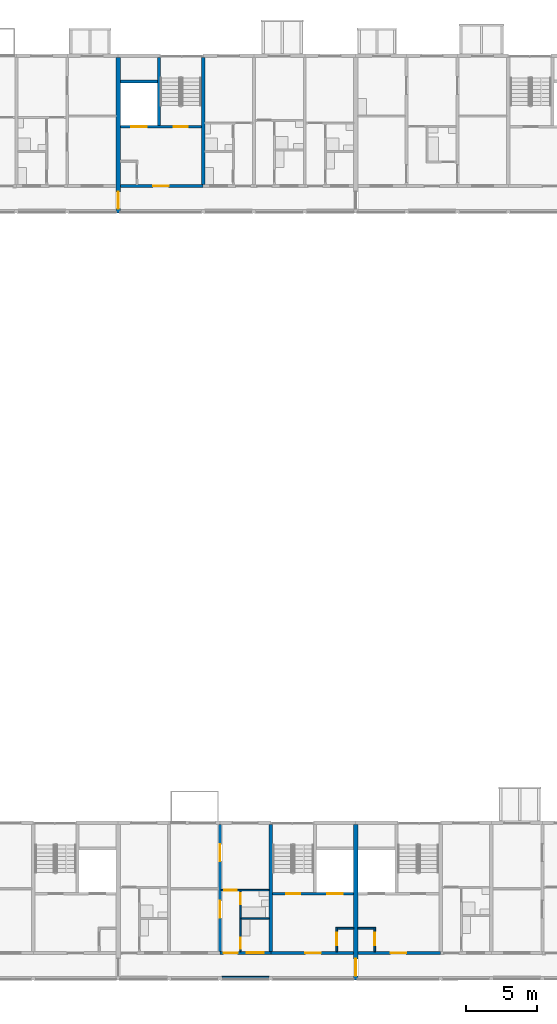
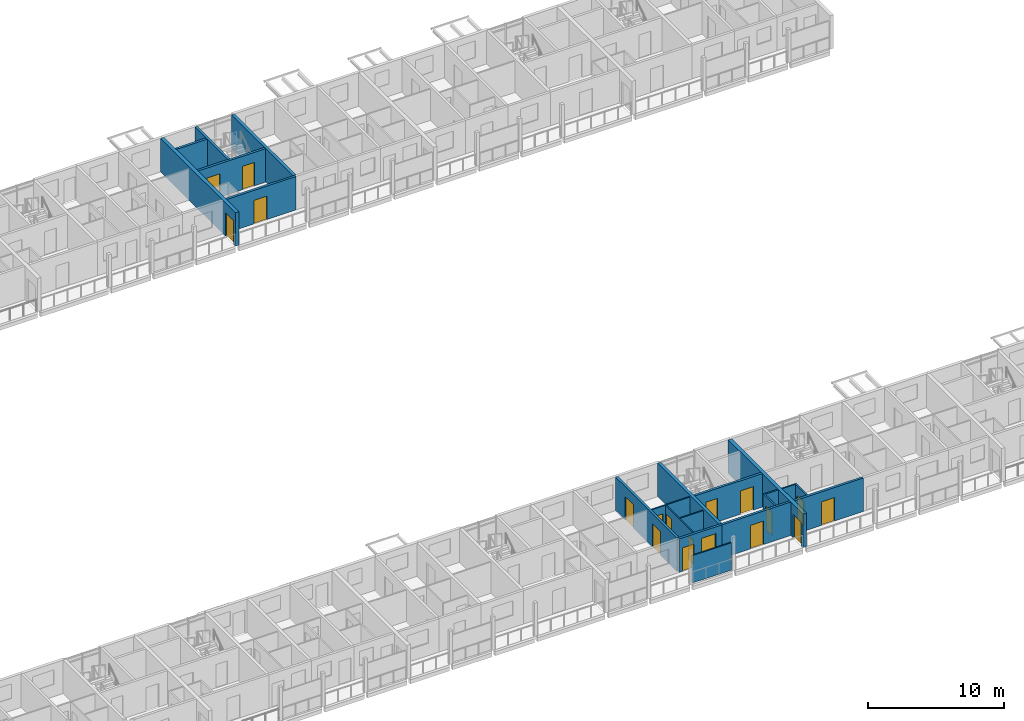
# One storey, part 51 of 99: 21 walls, 17 doors, 1 window, 18 openings.
"""IFC4 building model written with IfcOpenShell, lengths in metres."""

from ifc_helpers import new_model, si_unit, direction, frame, frame_2d, origin, place, context, subcontext, project, spatial, rectangle, extrude, material, layer, layer_set, type_object, element, fill, save


model = new_model("IFC4")

# Units and contexts
model_context = context("Model", 3, precision=1e-05, world=origin(), true_north=direction((0.0, 1.0)))
body_context = subcontext(model_context, "Body", "Model", "MODEL_VIEW")
ifc_project = project(units=[si_unit("LENGTHUNIT", "METRE"), si_unit("AREAUNIT", "SQUARE_METRE"), si_unit("VOLUMEUNIT", "CUBIC_METRE"), si_unit("PLANEANGLEUNIT", "RADIAN"), si_unit("MASSUNIT", "GRAM", prefix="KILO")], contexts=[model_context])

# Site, building, storey
site_placement = place(None, origin())
site = spatial("IfcSite", under=ifc_project, at=site_placement, CompositionType="ELEMENT")
building_placement = place(site_placement, origin())
building = spatial("IfcBuilding", under=site, at=building_placement, Name="Ridgestep Commons", CompositionType="ELEMENT")
storey_placement = place(building_placement, frame((0.0, 0.0, 15.0)))
storey = spatial("IfcBuildingStorey", under=building, at=storey_placement, Name="L05", CompositionType="ELEMENT", Elevation=15.0)

# Walls
ifc_material_1 = material(Name="Concrete C30/37", Category="concrete")
ifc_layer_1 = layer(ifc_material_1, 0.25)
ifc_layer_set_1 = layer_set([ifc_layer_1], Name="Core cross wall 250")
wall_type_1 = type_object("IfcWallType", Name="Core cross wall 250", PredefinedType="SHEAR", material=ifc_layer_set_1)
for number, where, z_axis, x_axis, name in (
    (1, (203.199951171875, 68.0, 0.0), (0.0, 0.0, 1.0), (0.0, 1.0, 0.0), "Cross wall C-05-2032"),
    (2, (208.0, 13.75, 0.0), (0.0, 0.0, 1.0), (0.0, 1.0, 0.0), "Cross wall D-05-2080"),
):
    element("IfcWall", number, at=place(storey_placement, frame(where, z_axis=z_axis, x_axis=x_axis)), inside=storey, type_object=wall_type_1, Name=name, PredefinedType="SHEAR", context=body_context, shape_type="SweptSolid", body=[
        extrude(rectangle(XDim=9.0, YDim=0.25, at=frame_2d((4.5, 0.0))), origin(), (0.0, 0.0, 1.0), 3.0),
    ])

# Wall, opening, door
ifc_material_2 = material(Name="Concrete C30/37", Category="concrete")
ifc_layer_2 = layer(ifc_material_2, 0.199951171875)
ifc_layer_set_2 = layer_set([ifc_layer_2], Name="Core south wall 200")
wall_type_2 = type_object("IfcWallType", Name="Core south wall 200", PredefinedType="SHEAR", material=ifc_layer_set_2)
wall_1_placement = place(storey_placement, frame((197.35009765625, 67.89990234375, 0.0), z_axis=(0.0, 0.0, 1.0), x_axis=(1.0, 0.0, 0.0)))
wall_1 = element("IfcWall", 3, at=wall_1_placement, inside=storey, type_object=wall_type_2, Name="Core south wall C4C L05", PredefinedType="SHEAR", context=body_context, shape_type="SweptSolid", body=[
    extrude(rectangle(XDim=5.849853515625, YDim=0.199951171875, at=frame_2d((2.9248046875, 0.0))), origin(), (0.0, 0.0, 1.0), 3.0),
])
opening_1_placement = place(wall_1_placement, frame((2.3125, 0.0, 0.0)))
opening_1 = element("IfcOpeningElement", 4, at=opening_1_placement, cuts=wall_1, Name="Opening C4C/05/1", PredefinedType="OPENING", context=body_context, shape_type="SweptSolid", body=[
    extrude(rectangle(XDim=1.10009765625, YDim=2.10009765625, at=frame_2d((0.550048828125, 1.050048828125))), frame((0.0, 0.10986328125, 0.0), z_axis=(0.0, -1.0, 0.0), x_axis=(1.0, 0.0, 0.0)), (0.0, 0.0, 1.0), 0.219970703125),
])
ifc_material_3 = material(Name="Steel fire door", Category="steel")
door_type_1 = type_object("IfcDoorType", Name="Lobby door 1100 x 2100 FD60", OperationType="NOTDEFINED", PredefinedType="DOOR", material=ifc_material_3)
door_1_placement = place(opening_1_placement, origin())
door_1 = element("IfcDoor", 5, at=door_1_placement, inside=storey, type_object=door_type_1, Name="Lobby door C4C/05/1", OperationType="SINGLE_SWING_LEFT", OverallHeight=2.10009765625, OverallWidth=1.10009765625, PredefinedType="DOOR", context=body_context, shape_type="SweptSolid", body=[
    extrude(rectangle(XDim=1.10009765625, YDim=2.10009765625, at=frame_2d((0.550048828125, 1.050048828125))), frame((0.0, 0.02490234375, 0.0), z_axis=(0.0, -1.0, 0.0), x_axis=(1.0, 0.0, 0.0)), (0.0, 0.0, 1.0), 0.050048828125),
])
fill(opening_1, door_1)

wall_2_placement = place(storey_placement, frame((208.0, 13.64990234375, 0.0), z_axis=(0.0, 0.0, 1.0), x_axis=(1.0, 0.0, 0.0)))
wall_2 = element("IfcWall", 6, at=wall_2_placement, inside=storey, type_object=wall_type_2, Name="Core south wall D4C L05", PredefinedType="SHEAR", context=body_context, shape_type="SweptSolid", body=[
    extrude(rectangle(XDim=5.85009765625, YDim=0.199951171875, at=frame_2d((2.925048828125, 0.0))), origin(), (0.0, 0.0, 1.0), 3.0),
])
opening_2_placement = place(wall_2_placement, frame((2.4375, 0.0, 0.0)))
opening_2 = element("IfcOpeningElement", 7, at=opening_2_placement, cuts=wall_2, Name="Opening D4C/05/1", PredefinedType="OPENING", context=body_context, shape_type="SweptSolid", body=[
    extrude(rectangle(XDim=1.10009765625, YDim=2.10009765625, at=frame_2d((0.550048828125, 1.050048828125))), frame((0.0, 0.10986328125, 0.0), z_axis=(0.0, -1.0, 0.0), x_axis=(1.0, 0.0, 0.0)), (0.0, 0.0, 1.0), 0.219970703125),
])
door_2_placement = place(opening_2_placement, origin())
door_2 = element("IfcDoor", 8, at=door_2_placement, inside=storey, type_object=door_type_1, Name="Lobby door D4C/05/1", OperationType="SINGLE_SWING_LEFT", OverallHeight=2.10009765625, OverallWidth=1.10009765625, PredefinedType="DOOR", context=body_context, shape_type="SweptSolid", body=[
    extrude(rectangle(XDim=1.10009765625, YDim=2.10009765625, at=frame_2d((0.550048828125, 1.050048828125))), frame((0.0, 0.02490234375, 0.0), z_axis=(0.0, -1.0, 0.0), x_axis=(1.0, 0.0, 0.0)), (0.0, 0.0, 1.0), 0.050048828125),
])
fill(opening_2, door_2)

wall_3_placement = place(storey_placement, frame((214.14990234375, 13.64990234375, 0.0), z_axis=(0.0, 0.0, 1.0), x_axis=(1.0, 0.0, 0.0)))
wall_3 = element("IfcWall", 9, at=wall_3_placement, inside=storey, type_object=wall_type_2, Name="Core south wall D5C L05", PredefinedType="SHEAR", context=body_context, shape_type="SweptSolid", body=[
    extrude(rectangle(XDim=5.85009765625, YDim=0.199951171875, at=frame_2d((2.925048828125, 0.0))), origin(), (0.0, 0.0, 1.0), 3.0),
])
opening_3_placement = place(wall_3_placement, frame((2.3125, 0.0, 0.0)))
opening_3 = element("IfcOpeningElement", 10, at=opening_3_placement, cuts=wall_3, Name="Opening D5C/05/1", PredefinedType="OPENING", context=body_context, shape_type="SweptSolid", body=[
    extrude(rectangle(XDim=1.10009765625, YDim=2.10009765625, at=frame_2d((0.550048828125, 1.050048828125))), frame((0.0, 0.10986328125, 0.0), z_axis=(0.0, -1.0, 0.0), x_axis=(1.0, 0.0, 0.0)), (0.0, 0.0, 1.0), 0.219970703125),
])
door_3_placement = place(opening_3_placement, origin())
door_3 = element("IfcDoor", 11, at=door_3_placement, inside=storey, type_object=door_type_1, Name="Lobby door D5C/05/1", OperationType="SINGLE_SWING_LEFT", OverallHeight=2.10009765625, OverallWidth=1.10009765625, PredefinedType="DOOR", context=body_context, shape_type="SweptSolid", body=[
    extrude(rectangle(XDim=1.10009765625, YDim=2.10009765625, at=frame_2d((0.550048828125, 1.050048828125))), frame((0.0, 0.02490234375, 0.0), z_axis=(0.0, -1.0, 0.0), x_axis=(1.0, 0.0, 0.0)), (0.0, 0.0, 1.0), 0.050048828125),
])
fill(opening_3, door_3)

ifc_material_4 = material(Name="Concrete C30/37", Category="concrete")
ifc_layer_3 = layer(ifc_material_4, 0.1201171875)
ifc_layer_set_3 = layer_set([ifc_layer_3], Name="Core wall 120")
wall_type_3 = type_object("IfcWallType", Name="Core wall 120", PredefinedType="SHEAR", material=ifc_layer_set_3)
wall_4_placement = place(storey_placement, frame((212.659912109375, 13.75, 0.0), z_axis=(0.0, 0.0, 1.0), x_axis=(0.0, 1.0, 0.0)))
wall_4 = element("IfcWall", 12, at=wall_4_placement, inside=storey, type_object=wall_type_3, Name="Core riser w wall D4C L05", PredefinedType="SHEAR", context=body_context, shape_type="SweptSolid", body=[
    extrude(rectangle(XDim=1.719970703125, YDim=0.1201171875, at=frame_2d((0.85986328125, 0.0))), origin(), (0.0, 0.0, 1.0), 3.0),
])
opening_4_placement = place(wall_4_placement, frame((0.449951171875, 0.0, 0.0)))
opening_4 = element("IfcOpeningElement", 13, at=opening_4_placement, cuts=wall_4, Name="Opening D4C/05/4", PredefinedType="OPENING", context=body_context, shape_type="SweptSolid", body=[
    extrude(rectangle(XDim=0.89990234375, YDim=2.10009765625, at=frame_2d((0.449951171875, 1.050048828125))), frame((0.0, 0.070068359375, 0.0), z_axis=(0.0, -1.0, 0.0), x_axis=(1.0, 0.0, 0.0)), (0.0, 0.0, 1.0), 0.14013671875),
])
ifc_material_5 = material(Name="Steel fire door", Category="steel")
door_type_2 = type_object("IfcDoorType", Name="Riser door 900 x 2100 FD60", OperationType="NOTDEFINED", PredefinedType="DOOR", material=ifc_material_5)
door_4_placement = place(opening_4_placement, origin())
door_4 = element("IfcDoor", 14, at=door_4_placement, inside=storey, type_object=door_type_2, Name="Riser door D4C/05/4", OperationType="SINGLE_SWING_LEFT", OverallHeight=2.10009765625, OverallWidth=0.89990234375, PredefinedType="DOOR", context=body_context, shape_type="SweptSolid", body=[
    extrude(rectangle(XDim=0.89990234375, YDim=2.10009765625, at=frame_2d((0.449951171875, 1.050048828125))), frame((0.0, 0.02490234375, 0.0), z_axis=(0.0, -1.0, 0.0), x_axis=(1.0, 0.0, 0.0)), (0.0, 0.0, 1.0), 0.050048828125),
])
fill(opening_4, door_4)

# Wall
wall_5_placement = place(storey_placement, frame((212.719970703125, 15.409912109375, 0.0), z_axis=(0.0, 0.0, 1.0), x_axis=(1.0, 0.0, 0.0)))
element("IfcWall", 15, at=wall_5_placement, inside=storey, type_object=wall_type_3, Name="Core riser n wall D4C L05", PredefinedType="SHEAR", context=body_context, shape_type="SweptSolid", body=[
    extrude(rectangle(XDim=1.130126953125, YDim=0.1201171875, at=frame_2d((0.56494140625, 0.0))), origin(), (0.0, 0.0, 1.0), 3.0),
])

# Wall, opening, door
wall_6_placement = place(storey_placement, frame((215.340087890625, 13.75, 0.0), z_axis=(0.0, 0.0, 1.0), x_axis=(0.0, 1.0, 0.0)))
wall_6 = element("IfcWall", 16, at=wall_6_placement, inside=storey, type_object=wall_type_3, Name="Core riser w wall D5C L05", PredefinedType="SHEAR", context=body_context, shape_type="SweptSolid", body=[
    extrude(rectangle(XDim=1.719970703125, YDim=0.1201171875, at=frame_2d((0.85986328125, 0.0))), origin(), (0.0, 0.0, 1.0), 3.0),
])
opening_5_placement = place(wall_6_placement, frame((0.449951171875, 0.0, 0.0)))
opening_5 = element("IfcOpeningElement", 17, at=opening_5_placement, cuts=wall_6, Name="Opening D5C/05/4", PredefinedType="OPENING", context=body_context, shape_type="SweptSolid", body=[
    extrude(rectangle(XDim=0.89990234375, YDim=2.10009765625, at=frame_2d((0.449951171875, 1.050048828125))), frame((0.0, 0.070068359375, 0.0), z_axis=(0.0, -1.0, 0.0), x_axis=(1.0, 0.0, 0.0)), (0.0, 0.0, 1.0), 0.14013671875),
])
door_5_placement = place(opening_5_placement, origin())
door_5 = element("IfcDoor", 18, at=door_5_placement, inside=storey, type_object=door_type_2, Name="Riser door D5C/05/4", OperationType="SINGLE_SWING_RIGHT", OverallHeight=2.10009765625, OverallWidth=0.89990234375, PredefinedType="DOOR", context=body_context, shape_type="SweptSolid", body=[
    extrude(rectangle(XDim=0.89990234375, YDim=2.10009765625, at=frame_2d((0.449951171875, 1.050048828125))), frame((0.0, 0.02490234375, 0.0), z_axis=(0.0, -1.0, 0.0), x_axis=(1.0, 0.0, 0.0)), (0.0, 0.0, 1.0), 0.050048828125),
])
fill(opening_5, door_5)

# Wall
wall_7_placement = place(storey_placement, frame((214.14990234375, 15.409912109375, 0.0), z_axis=(0.0, 0.0, 1.0), x_axis=(1.0, 0.0, 0.0)))
element("IfcWall", 19, at=wall_7_placement, inside=storey, type_object=wall_type_3, Name="Core riser n wall D5C L05", PredefinedType="SHEAR", context=body_context, shape_type="SweptSolid", body=[
    extrude(rectangle(XDim=1.130126953125, YDim=0.1201171875, at=frame_2d((0.56494140625, 0.0))), origin(), (0.0, 0.0, 1.0), 3.0),
])

# Wall, openings, doors
ifc_material_6 = material(Name="Concrete C30/37", Category="concrete")
ifc_layer_4 = layer(ifc_material_6, 0.199951171875)
ifc_layer_set_4 = layer_set([ifc_layer_4], Name="Core wall 200")
wall_type_4 = type_object("IfcWallType", Name="Core wall 200", PredefinedType="SHEAR", material=ifc_layer_set_4)
wall_8_placement = place(storey_placement, frame((197.35009765625, 72.10009765625, 0.0), z_axis=(0.0, 0.0, 1.0), x_axis=(1.0, 0.0, 0.0)))
wall_8 = element("IfcWall", 20, at=wall_8_placement, inside=storey, type_object=wall_type_4, Name="Core lobby wall C4C L05", PredefinedType="SHEAR", context=body_context, shape_type="SweptSolid", body=[
    extrude(rectangle(XDim=5.724853515625, YDim=0.199951171875, at=frame_2d((2.8623046875, 0.0))), origin(), (0.0, 0.0, 1.0), 3.0),
])
opening_6_placement = place(wall_8_placement, frame((3.77490234375, 0.0, 0.0)))
opening_6 = element("IfcOpeningElement", 21, at=opening_6_placement, cuts=wall_8, Name="Opening C4C/05/2", PredefinedType="OPENING", context=body_context, shape_type="SweptSolid", body=[
    extrude(rectangle(XDim=1.0, YDim=2.10009765625, at=frame_2d((0.5, 1.050048828125))), frame((0.0, 0.10986328125, 0.0), z_axis=(0.0, -1.0, 0.0), x_axis=(1.0, 0.0, 0.0)), (0.0, 0.0, 1.0), 0.219970703125),
])
opening_7_placement = place(wall_8_placement, frame((0.762451171875, 0.0, 0.0)))
opening_7 = element("IfcOpeningElement", 22, at=opening_7_placement, cuts=wall_8, Name="Opening C4C/05/3", PredefinedType="OPENING", context=body_context, shape_type="SweptSolid", body=[
    extrude(rectangle(XDim=1.10009765625, YDim=2.10009765625, at=frame_2d((0.550048828125, 1.050048828125))), frame((0.0, 0.10986328125, 0.0), z_axis=(0.0, -1.0, 0.0), x_axis=(1.0, 0.0, 0.0)), (0.0, 0.0, 1.0), 0.219970703125),
])
ifc_material_7 = material(Name="Stainless steel", Category="steel")
door_type_3 = type_object("IfcDoorType", Name="Lift landing door 1100 x 2100 FD60", OperationType="DOUBLE_DOOR_SLIDING", PredefinedType="DOOR", material=ifc_material_7)
door_6_placement = place(opening_7_placement, origin())
door_6 = element("IfcDoor", 23, at=door_6_placement, inside=storey, type_object=door_type_3, Name="Landing door LD C4C L05", OperationType="DOUBLE_DOOR_SLIDING", OverallHeight=2.10009765625, OverallWidth=1.10009765625, PredefinedType="DOOR", context=body_context, shape_type="SweptSolid", body=[
    extrude(rectangle(XDim=1.10009765625, YDim=2.10009765625, at=frame_2d((0.550048828125, 1.050048828125))), frame((0.0, 0.02490234375, 0.0), z_axis=(0.0, -1.0, 0.0), x_axis=(1.0, 0.0, 0.0)), (0.0, 0.0, 1.0), 0.050048828125),
])
fill(opening_7, door_6)
ifc_material_8 = material(Name="Steel fire door", Category="steel")
door_type_4 = type_object("IfcDoorType", Name="Stair door 1000 x 2100 FD60", OperationType="NOTDEFINED", PredefinedType="DOOR", material=ifc_material_8)
door_7_placement = place(opening_6_placement, origin())
door_7 = element("IfcDoor", 24, at=door_7_placement, inside=storey, type_object=door_type_4, Name="Stair door C4C/05/2", OperationType="SINGLE_SWING_RIGHT", OverallHeight=2.10009765625, OverallWidth=1.0, PredefinedType="DOOR", context=body_context, shape_type="SweptSolid", body=[
    extrude(rectangle(XDim=1.0, YDim=2.10009765625, at=frame_2d((0.5, 1.050048828125))), frame((0.0, 0.02490234375, 0.0), z_axis=(0.0, -1.0, 0.0), x_axis=(1.0, 0.0, 0.0)), (0.0, 0.0, 1.0), 0.050048828125),
])
fill(opening_6, door_7)

# Walls
wall_9_placement = place(storey_placement, frame((200.074951171875, 72.199951171875, 0.0), z_axis=(0.0, 0.0, 1.0), x_axis=(0.0, 1.0, 0.0)))
element("IfcWall", 25, at=wall_9_placement, inside=storey, type_object=wall_type_4, Name="Core stair wall C4C L05", PredefinedType="SHEAR", context=body_context, shape_type="SweptSolid", body=[
    extrude(rectangle(XDim=4.800048828125, YDim=0.199951171875, at=frame_2d((2.39990234375, 0.0))), origin(), (0.0, 0.0, 1.0), 3.0),
])
wall_10_placement = place(storey_placement, frame((197.35009765625, 75.300048828125, 0.0), z_axis=(0.0, 0.0, 1.0), x_axis=(1.0, 0.0, 0.0)))
element("IfcWall", 26, at=wall_10_placement, inside=storey, type_object=wall_type_4, Name="Core duct wall C4C L05", PredefinedType="SHEAR", context=body_context, shape_type="SweptSolid", body=[
    extrude(rectangle(XDim=2.625, YDim=0.199951171875, at=frame_2d((1.3125, 0.0))), origin(), (0.0, 0.0, 1.0), 3.0),
])

# Wall, openings, doors
wall_11_placement = place(storey_placement, frame((208.125, 17.85009765625, 0.0), z_axis=(0.0, 0.0, 1.0), x_axis=(1.0, 0.0, 0.0)))
wall_11 = element("IfcWall", 27, at=wall_11_placement, inside=storey, type_object=wall_type_4, Name="Core lobby wall D4C L05", PredefinedType="SHEAR", context=body_context, shape_type="SweptSolid", body=[
    extrude(rectangle(XDim=5.72509765625, YDim=0.199951171875, at=frame_2d((2.862548828125, 0.0))), origin(), (0.0, 0.0, 1.0), 3.0),
])
opening_8_placement = place(wall_11_placement, frame((0.949951171875, 0.0, 0.0)))
opening_8 = element("IfcOpeningElement", 28, at=opening_8_placement, cuts=wall_11, Name="Opening D4C/05/2", PredefinedType="OPENING", context=body_context, shape_type="SweptSolid", body=[
    extrude(rectangle(XDim=1.0, YDim=2.10009765625, at=frame_2d((0.5, 1.050048828125))), frame((0.0, 0.10986328125, 0.0), z_axis=(0.0, -1.0, 0.0), x_axis=(1.0, 0.0, 0.0)), (0.0, 0.0, 1.0), 0.219970703125),
])
opening_9_placement = place(wall_11_placement, frame((3.862548828125, 0.0, 0.0)))
opening_9 = element("IfcOpeningElement", 29, at=opening_9_placement, cuts=wall_11, Name="Opening D4C/05/3", PredefinedType="OPENING", context=body_context, shape_type="SweptSolid", body=[
    extrude(rectangle(XDim=1.10009765625, YDim=2.10009765625, at=frame_2d((0.550048828125, 1.050048828125))), frame((0.0, 0.10986328125, 0.0), z_axis=(0.0, -1.0, 0.0), x_axis=(1.0, 0.0, 0.0)), (0.0, 0.0, 1.0), 0.219970703125),
])
door_8_placement = place(opening_9_placement, origin())
door_8 = element("IfcDoor", 30, at=door_8_placement, inside=storey, type_object=door_type_3, Name="Landing door LD D4C L05", OperationType="DOUBLE_DOOR_SLIDING", OverallHeight=2.10009765625, OverallWidth=1.10009765625, PredefinedType="DOOR", context=body_context, shape_type="SweptSolid", body=[
    extrude(rectangle(XDim=1.10009765625, YDim=2.10009765625, at=frame_2d((0.550048828125, 1.050048828125))), frame((0.0, 0.02490234375, 0.0), z_axis=(0.0, -1.0, 0.0), x_axis=(1.0, 0.0, 0.0)), (0.0, 0.0, 1.0), 0.050048828125),
])
fill(opening_9, door_8)
door_9_placement = place(opening_8_placement, origin())
door_9 = element("IfcDoor", 31, at=door_9_placement, inside=storey, type_object=door_type_4, Name="Stair door D4C/05/2", OperationType="SINGLE_SWING_RIGHT", OverallHeight=2.10009765625, OverallWidth=1.0, PredefinedType="DOOR", context=body_context, shape_type="SweptSolid", body=[
    extrude(rectangle(XDim=1.0, YDim=2.10009765625, at=frame_2d((0.5, 1.050048828125))), frame((0.0, 0.02490234375, 0.0), z_axis=(0.0, -1.0, 0.0), x_axis=(1.0, 0.0, 0.0)), (0.0, 0.0, 1.0), 0.050048828125),
])
fill(opening_8, door_9)

ifc_material_9 = material(Name="Precast concrete C40/50", Category="concrete")
ifc_layer_5 = layer(ifc_material_9, 0.199951171875)
ifc_layer_set_5 = layer_set([ifc_layer_5], Name="Cross wall 200")
wall_type_5 = type_object("IfcWallType", Name="Cross wall 200", PredefinedType="SHEAR", material=ifc_layer_set_5)
wall_12_placement = place(storey_placement, frame((204.39990234375, 13.75, 0.0), z_axis=(0.0, 0.0, 1.0), x_axis=(0.0, 1.0, 0.0)))
wall_12 = element("IfcWall", 32, at=wall_12_placement, inside=storey, type_object=wall_type_5, Name="Cross wall D-05-2044", PredefinedType="SHEAR", context=body_context, shape_type="SweptSolid", body=[
    extrude(rectangle(XDim=9.0, YDim=0.199951171875, at=frame_2d((4.5, 0.0))), origin(), (0.0, 0.0, 1.0), 3.0),
])
opening_10_placement = place(wall_12_placement, frame((2.39990234375, 0.0, 0.0)))
opening_10 = element("IfcOpeningElement", 33, at=opening_10_placement, cuts=wall_12, Name="Opening D4-05b/5", PredefinedType="OPENING", context=body_context, shape_type="SweptSolid", body=[
    extrude(rectangle(XDim=1.199951171875, YDim=2.10009765625, at=frame_2d((0.60009765625, 1.050048828125))), frame((0.0, 0.10986328125, 0.0), z_axis=(0.0, -1.0, 0.0), x_axis=(1.0, 0.0, 0.0)), (0.0, 0.0, 1.0), 0.219970703125),
])
opening_11_placement = place(wall_12_placement, frame((6.39990234375, 0.0, 0.0)))
opening_11 = element("IfcOpeningElement", 34, at=opening_11_placement, cuts=wall_12, Name="Opening D4-05b/6", PredefinedType="OPENING", context=body_context, shape_type="SweptSolid", body=[
    extrude(rectangle(XDim=1.199951171875, YDim=2.10009765625, at=frame_2d((0.60009765625, 1.050048828125))), frame((0.0, 0.10986328125, 0.0), z_axis=(0.0, -1.0, 0.0), x_axis=(1.0, 0.0, 0.0)), (0.0, 0.0, 1.0), 0.219970703125),
])
ifc_material_10 = material(Name="Timber door leaf", Category="wood")
door_type_5 = type_object("IfcDoorType", Name="Double door 1200 x 2100", OperationType="DOUBLE_DOOR_SINGLE_SWING", PredefinedType="DOOR", material=ifc_material_10)
door_10_placement = place(opening_10_placement, origin())
door_10 = element("IfcDoor", 35, at=door_10_placement, inside=storey, type_object=door_type_5, Name="Double door D4-05b/5", OperationType="DOUBLE_DOOR_SINGLE_SWING", OverallHeight=2.10009765625, OverallWidth=1.199951171875, PredefinedType="DOOR", context=body_context, shape_type="SweptSolid", body=[
    extrude(rectangle(XDim=1.199951171875, YDim=2.10009765625, at=frame_2d((0.60009765625, 1.050048828125))), frame((0.0, 0.02490234375, 0.0), z_axis=(0.0, -1.0, 0.0), x_axis=(1.0, 0.0, 0.0)), (0.0, 0.0, 1.0), 0.050048828125),
])
fill(opening_10, door_10)
door_11_placement = place(opening_11_placement, origin())
door_11 = element("IfcDoor", 36, at=door_11_placement, inside=storey, type_object=door_type_5, Name="Double door D4-05b/6", OperationType="DOUBLE_DOOR_SINGLE_SWING", OverallHeight=2.10009765625, OverallWidth=1.199951171875, PredefinedType="DOOR", context=body_context, shape_type="SweptSolid", body=[
    extrude(rectangle(XDim=1.199951171875, YDim=2.10009765625, at=frame_2d((0.60009765625, 1.050048828125))), frame((0.0, 0.02490234375, 0.0), z_axis=(0.0, -1.0, 0.0), x_axis=(1.0, 0.0, 0.0)), (0.0, 0.0, 1.0), 0.050048828125),
])
fill(opening_11, door_11)

# Wall, opening, door
ifc_material_11 = material(Name="Precast concrete C40/50", Category="concrete")
ifc_layer_6 = layer(ifc_material_11, 0.300048828125)
ifc_layer_set_6 = layer_set([ifc_layer_6], Name="Division wall 300")
wall_type_6 = type_object("IfcWallType", Name="Division wall 300", PredefinedType="SHEAR", material=ifc_layer_set_6)
wall_13_placement = place(storey_placement, frame((197.199951171875, 66.0, 0.0), z_axis=(0.0, 0.0, 1.0), x_axis=(0.0, 1.0, 0.0)))
wall_13 = element("IfcWall", 37, at=wall_13_placement, inside=storey, type_object=wall_type_6, Name="Cross wall C-05-1972", PredefinedType="SHEAR", context=body_context, shape_type="SweptSolid", body=[
    extrude(rectangle(XDim=11.0, YDim=0.300048828125, at=frame_2d((5.5, 0.0))), origin(), (0.0, 0.0, 1.0), 3.0),
])
opening_12_placement = place(wall_13_placement, frame((0.300048828125, 0.0, 0.0)))
opening_12 = element("IfcOpeningElement", 38, at=opening_12_placement, cuts=wall_13, Name="Opening C/05/G1972", PredefinedType="OPENING", context=body_context, shape_type="SweptSolid", body=[
    extrude(rectangle(XDim=1.199951171875, YDim=2.10009765625, at=frame_2d((0.60009765625, 1.050048828125))), frame((0.0, 0.159912109375, 0.0), z_axis=(0.0, -1.0, 0.0), x_axis=(1.0, 0.0, 0.0)), (0.0, 0.0, 1.0), 0.320068359375),
])
ifc_material_12 = material(Name="Steel fire door", Category="steel")
door_type_6 = type_object("IfcDoorType", Name="Division fire door 1200 x 2100 EI 240", OperationType="DOUBLE_DOOR_SINGLE_SWING", PredefinedType="DOOR", material=ifc_material_12)
door_12_placement = place(opening_12_placement, origin())
door_12 = element("IfcDoor", 39, at=door_12_placement, inside=storey, type_object=door_type_6, Name="Division fire door C/05/G1972", OperationType="DOUBLE_DOOR_SINGLE_SWING", OverallHeight=2.10009765625, OverallWidth=1.199951171875, PredefinedType="DOOR", context=body_context, shape_type="SweptSolid", body=[
    extrude(rectangle(XDim=1.199951171875, YDim=2.10009765625, at=frame_2d((0.60009765625, 1.050048828125))), frame((0.0, 0.02490234375, 0.0), z_axis=(0.0, -1.0, 0.0), x_axis=(1.0, 0.0, 0.0)), (0.0, 0.0, 1.0), 0.050048828125),
])
fill(opening_12, door_12)

wall_14_placement = place(storey_placement, frame((214.0, 11.75, 0.0), z_axis=(0.0, 0.0, 1.0), x_axis=(0.0, 1.0, 0.0)))
wall_14 = element("IfcWall", 40, at=wall_14_placement, inside=storey, type_object=wall_type_6, Name="Cross wall D-05-2140", PredefinedType="SHEAR", context=body_context, shape_type="SweptSolid", body=[
    extrude(rectangle(XDim=11.0, YDim=0.300048828125, at=frame_2d((5.5, 0.0))), origin(), (0.0, 0.0, 1.0), 3.0),
])
opening_13_placement = place(wall_14_placement, frame((0.300048828125, 0.0, 0.0)))
opening_13 = element("IfcOpeningElement", 41, at=opening_13_placement, cuts=wall_14, Name="Opening D/05/G2140", PredefinedType="OPENING", context=body_context, shape_type="SweptSolid", body=[
    extrude(rectangle(XDim=1.199951171875, YDim=2.10009765625, at=frame_2d((0.60009765625, 1.050048828125))), frame((0.0, 0.159912109375, 0.0), z_axis=(0.0, -1.0, 0.0), x_axis=(1.0, 0.0, 0.0)), (0.0, 0.0, 1.0), 0.320068359375),
])
door_13_placement = place(opening_13_placement, origin())
door_13 = element("IfcDoor", 42, at=door_13_placement, inside=storey, type_object=door_type_6, Name="Division fire door D/05/G2140", OperationType="DOUBLE_DOOR_SINGLE_SWING", OverallHeight=2.10009765625, OverallWidth=1.199951171875, PredefinedType="DOOR", context=body_context, shape_type="SweptSolid", body=[
    extrude(rectangle(XDim=1.199951171875, YDim=2.10009765625, at=frame_2d((0.60009765625, 1.050048828125))), frame((0.0, 0.02490234375, 0.0), z_axis=(0.0, -1.0, 0.0), x_axis=(1.0, 0.0, 0.0)), (0.0, 0.0, 1.0), 0.050048828125),
])
fill(opening_13, door_13)

# Wall, openings, doors
ifc_material_13 = material(Name="Common brick 110 mm", Category="masonry")
ifc_layer_7 = layer(ifc_material_13, 0.110107421875)
ifc_layer_set_7 = layer_set([ifc_layer_7], Name="Partition 110")
wall_type_7 = type_object("IfcWallType", Name="Partition 110", PredefinedType="PARTITIONING", material=ifc_layer_set_7)
wall_15_placement = place(storey_placement, frame((205.85498046875, 13.75, 0.0), z_axis=(0.0, 0.0, 1.0), x_axis=(0.0, 1.0, 0.0)))
wall_15 = element("IfcWall", 43, at=wall_15_placement, inside=storey, type_object=wall_type_7, Name="Partition D4-05b", PredefinedType="PARTITIONING", context=body_context, shape_type="SweptSolid", body=[
    extrude(rectangle(XDim=4.300048828125, YDim=0.110107421875, at=frame_2d((2.14990234375, 0.0))), origin(), (0.0, 0.0, 1.0), 2.800048828125),
])
opening_14_placement = place(wall_15_placement, frame((0.199951171875, 0.0, 0.0)))
opening_14 = element("IfcOpeningElement", 44, at=opening_14_placement, cuts=wall_15, Name="Opening D4-05b/2", PredefinedType="OPENING", context=body_context, shape_type="SweptSolid", body=[
    extrude(rectangle(XDim=0.800048828125, YDim=2.10009765625, at=frame_2d((0.39990234375, 1.050048828125))), frame((0.0, 0.06494140625, 0.0), z_axis=(0.0, -1.0, 0.0), x_axis=(1.0, 0.0, 0.0)), (0.0, 0.0, 1.0), 0.130126953125),
])
opening_15_placement = place(wall_15_placement, frame((3.35009765625, 0.0, 0.0)))
opening_15 = element("IfcOpeningElement", 45, at=opening_15_placement, cuts=wall_15, Name="Opening D4-05b/3", PredefinedType="OPENING", context=body_context, shape_type="SweptSolid", body=[
    extrude(rectangle(XDim=0.800048828125, YDim=2.10009765625, at=frame_2d((0.39990234375, 1.050048828125))), frame((0.0, 0.06494140625, 0.0), z_axis=(0.0, -1.0, 0.0), x_axis=(1.0, 0.0, 0.0)), (0.0, 0.0, 1.0), 0.130126953125),
])
ifc_material_14 = material(Name="Timber door leaf", Category="wood")
door_type_7 = type_object("IfcDoorType", Name="Internal door 800 x 2100", OperationType="NOTDEFINED", PredefinedType="DOOR", material=ifc_material_14)
door_14_placement = place(opening_14_placement, origin())
door_14 = element("IfcDoor", 46, at=door_14_placement, inside=storey, type_object=door_type_7, Name="Internal door D4-05b/2", OperationType="SINGLE_SWING_RIGHT", OverallHeight=2.10009765625, OverallWidth=0.800048828125, PredefinedType="DOOR", context=body_context, shape_type="SweptSolid", body=[
    extrude(rectangle(XDim=0.800048828125, YDim=2.10009765625, at=frame_2d((0.39990234375, 1.050048828125))), frame((0.0, 0.02490234375, 0.0), z_axis=(0.0, -1.0, 0.0), x_axis=(1.0, 0.0, 0.0)), (0.0, 0.0, 1.0), 0.050048828125),
])
fill(opening_14, door_14)
door_15_placement = place(opening_15_placement, origin())
door_15 = element("IfcDoor", 47, at=door_15_placement, inside=storey, type_object=door_type_7, Name="Internal door D4-05b/3", OperationType="SINGLE_SWING_LEFT", OverallHeight=2.10009765625, OverallWidth=0.800048828125, PredefinedType="DOOR", context=body_context, shape_type="SweptSolid", body=[
    extrude(rectangle(XDim=0.800048828125, YDim=2.10009765625, at=frame_2d((0.39990234375, 1.050048828125))), frame((0.0, 0.02490234375, 0.0), z_axis=(0.0, -1.0, 0.0), x_axis=(1.0, 0.0, 0.0)), (0.0, 0.0, 1.0), 0.050048828125),
])
fill(opening_15, door_15)

# Wall
wall_16_placement = place(storey_placement, frame((205.909912109375, 16.10498046875, 0.0), z_axis=(0.0, 0.0, 1.0), x_axis=(1.0, 0.0, 0.0)))
element("IfcWall", 48, at=wall_16_placement, inside=storey, type_object=wall_type_7, Name="Partition D4-05b", PredefinedType="PARTITIONING", context=body_context, shape_type="SweptSolid", body=[
    extrude(rectangle(XDim=1.965087890625, YDim=0.110107421875, at=frame_2d((0.982421875, 0.0))), origin(), (0.0, 0.0, 1.0), 2.800048828125),
])

# Wall, opening, door
wall_17_placement = place(storey_placement, frame((204.5, 18.10498046875, 0.0), z_axis=(0.0, 0.0, 1.0), x_axis=(1.0, 0.0, 0.0)))
wall_17 = element("IfcWall", 49, at=wall_17_placement, inside=storey, type_object=wall_type_7, Name="Partition D4-05b", PredefinedType="PARTITIONING", context=body_context, shape_type="SweptSolid", body=[
    extrude(rectangle(XDim=3.375, YDim=0.110107421875, at=frame_2d((1.6875, 0.0))), origin(), (0.0, 0.0, 1.0), 2.800048828125),
])
opening_16_placement = place(wall_17_placement, frame((0.199951171875, 0.0, 0.0)))
opening_16 = element("IfcOpeningElement", 50, at=opening_16_placement, cuts=wall_17, Name="Opening D4-05b/4", PredefinedType="OPENING", context=body_context, shape_type="SweptSolid", body=[
    extrude(rectangle(XDim=0.89990234375, YDim=2.10009765625, at=frame_2d((0.449951171875, 1.050048828125))), frame((0.0, 0.06494140625, 0.0), z_axis=(0.0, -1.0, 0.0), x_axis=(1.0, 0.0, 0.0)), (0.0, 0.0, 1.0), 0.130126953125),
])
ifc_material_15 = material(Name="Timber door leaf", Category="wood")
door_type_8 = type_object("IfcDoorType", Name="Internal door 900 x 2100", OperationType="NOTDEFINED", PredefinedType="DOOR", material=ifc_material_15)
door_16_placement = place(opening_16_placement, origin())
door_16 = element("IfcDoor", 51, at=door_16_placement, inside=storey, type_object=door_type_8, Name="Internal door D4-05b/4", OperationType="SINGLE_SWING_LEFT", OverallHeight=2.10009765625, OverallWidth=0.89990234375, PredefinedType="DOOR", context=body_context, shape_type="SweptSolid", body=[
    extrude(rectangle(XDim=0.89990234375, YDim=2.10009765625, at=frame_2d((0.449951171875, 1.050048828125))), frame((0.0, 0.02490234375, 0.0), z_axis=(0.0, -1.0, 0.0), x_axis=(1.0, 0.0, 0.0)), (0.0, 0.0, 1.0), 0.050048828125),
])
fill(opening_16, door_16)

# Wall
ifc_material_16 = material(Name="Precast concrete C30/37", Category="concrete")
ifc_layer_8 = layer(ifc_material_16, 0.10009765625)
ifc_layer_set_8 = layer_set([ifc_layer_8], Name="Perforated gallery screen 3350 x 2450 x 100")
wall_type_8 = type_object("IfcWallType", Name="Perforated gallery screen 3350 x 2450 x 100", PredefinedType="SOLIDWALL", material=ifc_layer_set_8)
wall_18_placement = place(storey_placement, frame((204.52490234375, 11.949951171875, 0.0), z_axis=(0.0, 0.0, 1.0), x_axis=(1.0, 0.0, 0.0)))
element("IfcWall", 52, at=wall_18_placement, inside=storey, type_object=wall_type_8, Name="Gallery screen D4T3 05", PredefinedType="SOLIDWALL", context=body_context, shape_type="SweptSolid", body=[
    extrude(rectangle(XDim=3.35009765625, YDim=0.10009765625, at=frame_2d((1.675048828125, 0.0))), origin(), (0.0, 0.0, 1.0), 2.449951171875),
])

# Wall, openings, door, window
ifc_material_17 = material(Name="Precast concrete C40/50", Category="concrete")
ifc_layer_9 = layer(ifc_material_17, 0.199951171875)
ifc_layer_set_9 = layer_set([ifc_layer_9], Name="South facade panel 200")
wall_type_9 = type_object("IfcWallType", Name="South facade panel 200", PredefinedType="SOLIDWALL", material=ifc_layer_set_9)
wall_19_placement = place(storey_placement, frame((204.39990234375, 13.64990234375, 0.0), z_axis=(0.0, 0.0, 1.0), x_axis=(1.0, 0.0, 0.0)))
wall_19 = element("IfcWall", 53, at=wall_19_placement, inside=storey, type_object=wall_type_9, Name="South panel D4T3 L05", PredefinedType="SOLIDWALL", context=body_context, shape_type="SweptSolid", body=[
    extrude(rectangle(XDim=3.60009765625, YDim=0.199951171875, at=frame_2d((1.800048828125, 0.0))), origin(), (0.0, 0.0, 1.0), 3.0),
])
opening_17_placement = place(wall_19_placement, frame((1.892578125, 0.0, 1.10009765625)))
opening_17 = element("IfcOpeningElement", 54, at=opening_17_placement, cuts=wall_19, Name="Opening W08", PredefinedType="OPENING", context=body_context, shape_type="SweptSolid", body=[
    extrude(rectangle(XDim=1.199951171875, YDim=1.300048828125, at=frame_2d((0.60009765625, 0.64990234375))), frame((0.0, 0.10986328125, 0.0), z_axis=(0.0, -1.0, 0.0), x_axis=(1.0, 0.0, 0.0)), (0.0, 0.0, 1.0), 0.219970703125),
])
opening_18_placement = place(wall_19_placement, frame((0.25, 0.0, 0.0)))
opening_18 = element("IfcOpeningElement", 55, at=opening_18_placement, cuts=wall_19, Name="Opening D4-05b/1", PredefinedType="OPENING", context=body_context, shape_type="SweptSolid", body=[
    extrude(rectangle(XDim=1.0, YDim=2.10009765625, at=frame_2d((0.5, 1.050048828125))), frame((0.0, 0.10986328125, 0.0), z_axis=(0.0, -1.0, 0.0), x_axis=(1.0, 0.0, 0.0)), (0.0, 0.0, 1.0), 0.219970703125),
])
ifc_material_18 = material(Name="Timber door leaf", Category="wood")
door_type_9 = type_object("IfcDoorType", Name="Flat entrance door 1000 x 2100 FD30S", OperationType="NOTDEFINED", PredefinedType="DOOR", material=ifc_material_18)
door_17_placement = place(opening_18_placement, origin())
door_17 = element("IfcDoor", 56, at=door_17_placement, inside=storey, type_object=door_type_9, Name="Flat entrance door D4-05b/1", OperationType="SINGLE_SWING_LEFT", OverallHeight=2.10009765625, OverallWidth=1.0, PredefinedType="DOOR", context=body_context, shape_type="SweptSolid", body=[
    extrude(rectangle(XDim=1.0, YDim=2.10009765625, at=frame_2d((0.5, 1.050048828125))), frame((0.0, 0.02490234375, 0.0), z_axis=(0.0, -1.0, 0.0), x_axis=(1.0, 0.0, 0.0)), (0.0, 0.0, 1.0), 0.050048828125),
])
fill(opening_18, door_17)
ifc_material_19 = material(Name="Aluminium 6063-T6 and glass", Category="aluminium")
window_type = type_object("IfcWindowType", Name="Flat window 1200 x 1300", PartitioningType="SINGLE_PANEL", PredefinedType="WINDOW", material=ifc_material_19)
window_placement = place(opening_17_placement, origin())
window = element("IfcWindow", 57, at=window_placement, inside=storey, type_object=window_type, Name="Window D4-05b 3", OverallHeight=1.300048828125, OverallWidth=1.199951171875, PartitioningType="SINGLE_PANEL", PredefinedType="WINDOW", context=body_context, shape_type="SweptSolid", body=[
    extrude(rectangle(XDim=1.199951171875, YDim=1.300048828125, at=frame_2d((0.60009765625, 0.64990234375))), frame((0.0, 0.06005859375, 0.0), z_axis=(0.0, -1.0, 0.0), x_axis=(1.0, 0.0, 0.0)), (0.0, 0.0, 1.0), 0.06005859375),
])
fill(opening_17, window)

save(model, "model.ifc")
